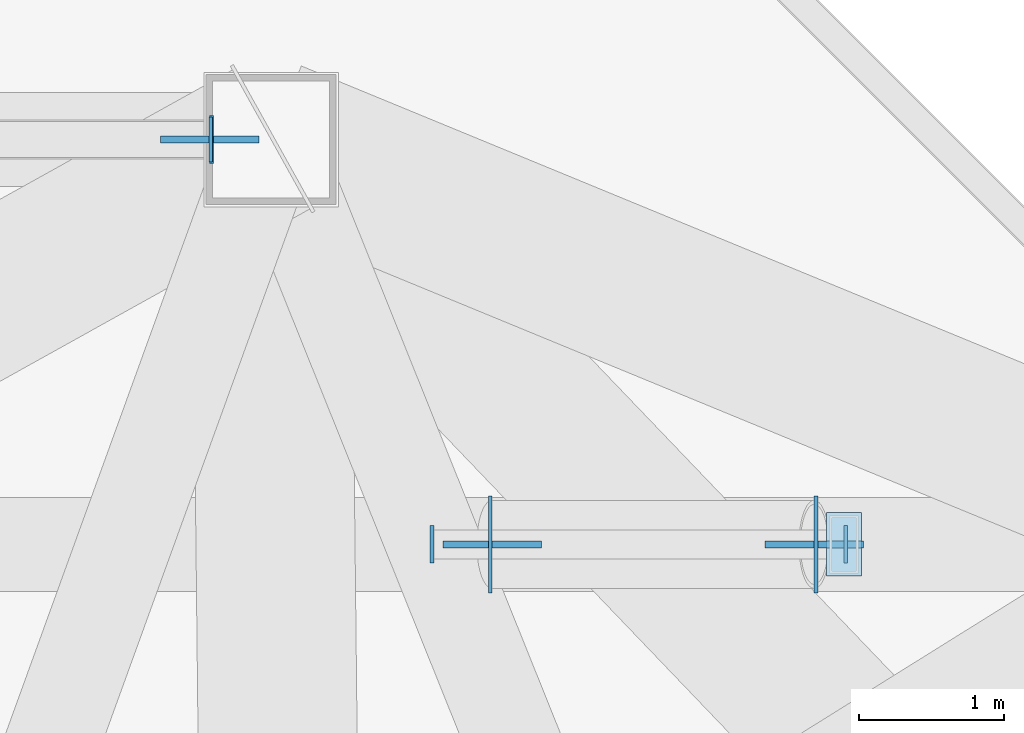
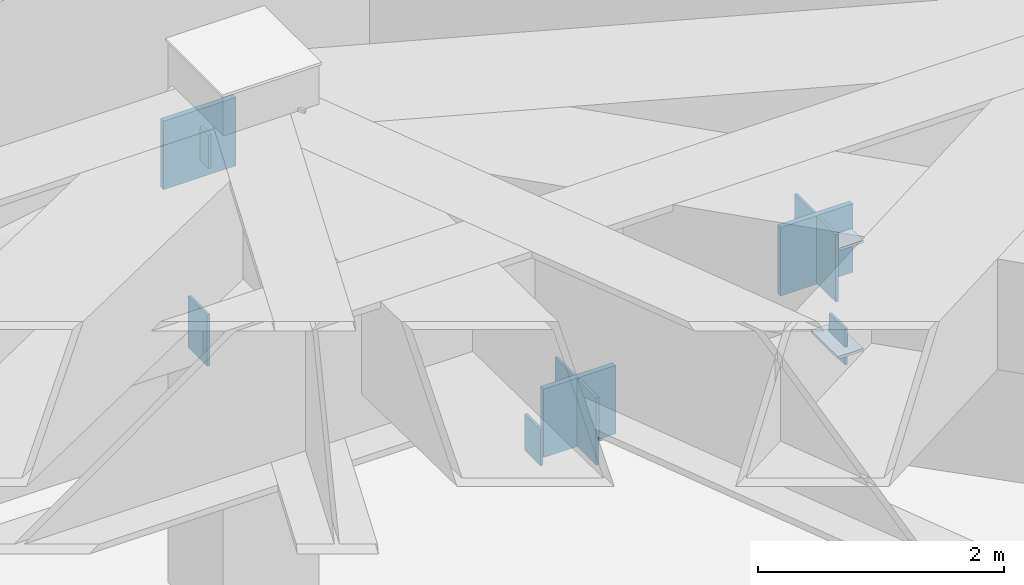
# One storey, part 14 of 19: 11 plates.
"""IFC4 building model written with IfcOpenShell, lengths in metres."""

from ifc_helpers import new_model, si_unit, direction, frame, origin, origin_2d, place, context, subcontext, project, spatial, rectangle, extrude, material, layer, layer_set, type_object, element, save


model = new_model("IFC4")

# Units and contexts
model_context = context("Model", 3, precision=1e-05, world=origin(), true_north=direction((0.0, 1.0)))
body_context = subcontext(model_context, "Body", "Model", "MODEL_VIEW")
ifc_project = project(units=[si_unit("LENGTHUNIT", "METRE"), si_unit("AREAUNIT", "SQUARE_METRE"), si_unit("VOLUMEUNIT", "CUBIC_METRE"), si_unit("PLANEANGLEUNIT", "RADIAN"), si_unit("MASSUNIT", "GRAM", prefix="KILO")], contexts=[model_context])

# Site, building, storey
site_placement = place(None, origin())
site = spatial("IfcSite", under=ifc_project, at=site_placement, CompositionType="ELEMENT")
building_placement = place(site_placement, origin())
building = spatial("IfcBuilding", under=site, at=building_placement, Name="Khamvora Tower", CompositionType="ELEMENT")
storey_placement = place(building_placement, frame((0.0, 0.0, 150.5)))
storey = spatial("IfcBuildingStorey", under=building, at=storey_placement, Name="L38", CompositionType="ELEMENT", Elevation=150.5)

# Plates
ifc_material_1 = material(Name="Steel S355", Category="steel")
ifc_layer_1 = layer(ifc_material_1, 0.02490234375)
ifc_layer_set_1 = layer_set([ifc_layer_1], Name="Steel S355")
plate_type_1 = type_object("IfcPlateType", Name="PL-CAP-25", PredefinedType="SHEET", material=ifc_layer_set_1)
plate_1_placement = place(storey_placement, frame((49.532958984375, 47.300048828125, 2.5048828125), z_axis=(0.0, 0.0, 1.0), x_axis=(1.0, 0.0, 0.0)))
element("IfcPlate", 1, at=plate_1_placement, inside=storey, type_object=plate_type_1, Name="L38 hollow section steel end cap plate 0863", PredefinedType="SHEET", context=body_context, shape_type="SweptSolid", body=[
    extrude(rectangle(XDim=0.02490234375, YDim=0.31005859375, at=origin_2d()), origin(), (0.0, 0.0, 1.0), 0.510009765625),
])
for number, where, z_axis, x_axis, name in (
    (2, (51.06298828125, 44.5, 2.66015625), (0.0, 0.0, 1.0), (1.0, 0.0, 0.0), "L38 hollow section steel end cap plate 0878"),
    (3, (53.925048828125, 44.5, 2.66015625), (0.0, 0.0, 1.0), (1.0, 0.0, 0.0), "L38 hollow section steel end cap plate 0879"),
):
    element("IfcPlate", number, at=place(storey_placement, frame(where, z_axis=z_axis, x_axis=x_axis)), inside=storey, type_object=plate_type_1, Name=name, PredefinedType="SHEET", context=body_context, shape_type="SweptSolid", body=[
        extrude(rectangle(XDim=0.02490234375, YDim=0.260009765625, at=origin_2d()), origin(), (0.0, 0.0, 1.0), 0.360107421875),
    ])
for number, where, z_axis, x_axis, name in (
    (4, (53.9130859375, 44.5, 2.8154296875), (0.0, 0.0, 1.0), (1.0, 0.0, 0.0), "L38 hollow section steel end cap plate 0880"),
    (5, (53.9130859375, 44.5, 3.8896484375), (0.0, 0.0, 1.0), (1.0, 0.0, 0.0), "L38 hollow section steel end cap plate 0881"),
):
    element("IfcPlate", number, at=place(storey_placement, frame(where, z_axis=z_axis, x_axis=x_axis)), inside=storey, type_object=plate_type_1, Name=name, PredefinedType="SHEET", context=body_context, shape_type="SweptSolid", body=[
        extrude(rectangle(XDim=0.239990234375, YDim=0.43994140625, at=origin_2d()), origin(), (0.0, 0.0, 1.0), 0.02490234375),
    ])
for number, where, z_axis, x_axis, name in (
    (6, (51.467041015625, 44.5, 2.650146484375), (0.0, 0.0, 1.0), (1.0, 0.0, 0.0), "L38 hollow section steel end cap plate 0882"),
    (7, (53.718994140625, 44.5, 3.483154296875), (0.0, 0.0, 1.0), (1.0, 0.0, 0.0), "L38 hollow section steel end cap plate 0883"),
):
    element("IfcPlate", number, at=place(storey_placement, frame(where, z_axis=z_axis, x_axis=x_axis)), inside=storey, type_object=plate_type_1, Name=name, PredefinedType="SHEET", context=body_context, shape_type="SweptSolid", body=[
        extrude(rectangle(XDim=0.02490234375, YDim=0.669921875, at=origin_2d()), origin(), (0.0, 0.0, 1.0), 0.669921875),
    ])
plate_2_placement = place(storey_placement, frame((49.5380859375, 47.300048828125, 4.472412109375), z_axis=(0.0, 0.0, 1.0), x_axis=(1.0, 0.0, 0.0)))
element("IfcPlate", 8, at=plate_2_placement, inside=storey, type_object=plate_type_1, Name="L38 hollow section steel end cap plate 0935", PredefinedType="SHEET", context=body_context, shape_type="SweptSolid", body=[
    extrude(rectangle(XDim=0.02490234375, YDim=0.3330078125, at=origin_2d()), origin(), (0.0, 0.0, 1.0), 0.3330078125),
])
ifc_material_2 = material(Name="Steel S460", Category="steel")
ifc_layer_2 = layer(ifc_material_2, 0.050048828125)
ifc_layer_set_2 = layer_set([ifc_layer_2], Name="Steel S460")
plate_type_2 = type_object("IfcPlateType", Name="PLT-GUS-50", PredefinedType="SHEET", material=ifc_layer_set_2)
for number, where, z_axis, x_axis, name in (
    (9, (51.47900390625, 44.5, 2.64892578125), (0.0, 0.0, 1.0), (1.0, 0.0, 0.0), "L38 brace connection node gusset plate 0263"),
    (10, (53.70703125, 44.5, 3.47412109375), (0.0, 0.0, 1.0), (1.0, 0.0, 0.0), "L38 brace connection node gusset plate 0264"),
    (11, (49.52587890625, 47.300048828125, 4.296875), (0.0, 0.0, 1.0), (1.0, 0.0, 0.0), "L38 brace connection node gusset plate 0272"),
):
    element("IfcPlate", number, at=place(storey_placement, frame(where, z_axis=z_axis, x_axis=x_axis)), inside=storey, type_object=plate_type_2, Name=name, PredefinedType="SHEET", context=body_context, shape_type="SweptSolid", body=[
        extrude(rectangle(XDim=0.679931640625, YDim=0.050048828125, at=origin_2d()), origin(), (0.0, 0.0, 1.0), 0.679931640625),
    ])

save(model, "model.ifc")
